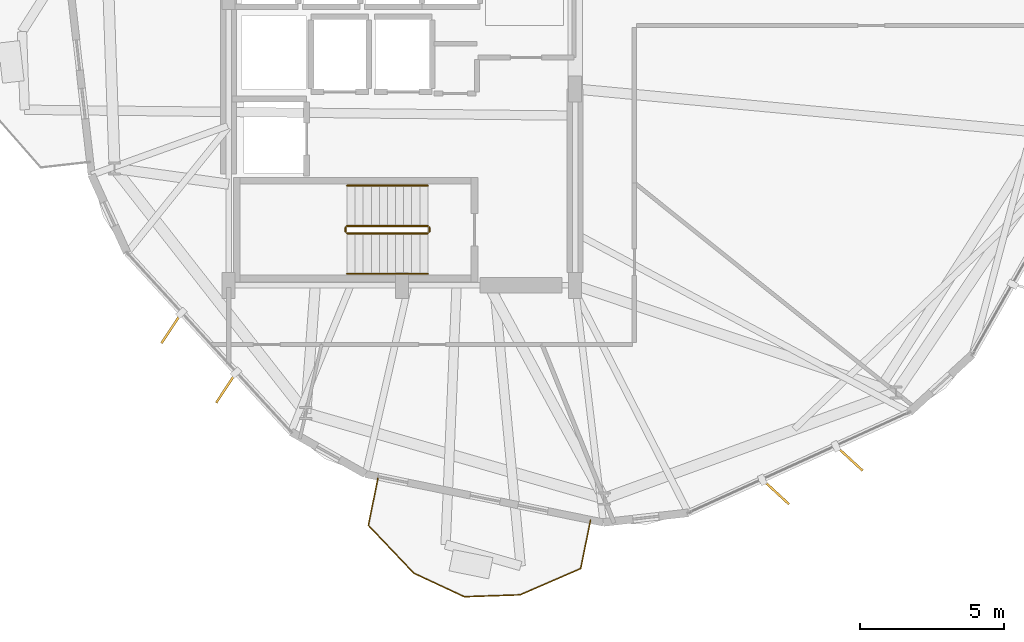
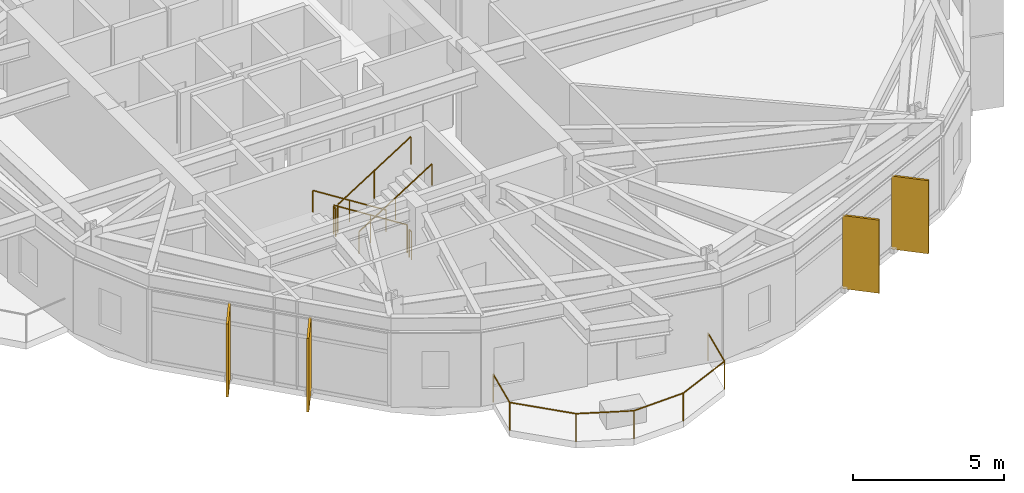
# One storey, part 21 of 23: 7 railings, 4 shading devices.
"""IFC4 building model written with IfcOpenShell, lengths in metres."""

from ifc_helpers import new_model, si_unit, direction, frame, origin, origin_2d, place, context, subcontext, project, spatial, rectangle, circle, extrude, material, layer, layer_set, type_object, element, save


model = new_model("IFC4")

# Units and contexts
model_context = context("Model", 3, precision=1e-05, world=origin(), true_north=direction((0.0, 1.0)))
body_context = subcontext(model_context, "Body", "Model", "MODEL_VIEW")
ifc_project = project(units=[si_unit("LENGTHUNIT", "METRE"), si_unit("AREAUNIT", "SQUARE_METRE"), si_unit("VOLUMEUNIT", "CUBIC_METRE"), si_unit("PLANEANGLEUNIT", "RADIAN"), si_unit("MASSUNIT", "GRAM", prefix="KILO")], contexts=[model_context])

# Site, building, storey
site_placement = place(None, origin())
site = spatial("IfcSite", under=ifc_project, at=site_placement, CompositionType="ELEMENT")
building_placement = place(site_placement, origin())
building = spatial("IfcBuilding", under=site, at=building_placement, Name="Soratama Intermodal Tower", CompositionType="ELEMENT")
storey_placement = place(building_placement, frame((0.0, 0.0, 122.5)))
storey = spatial("IfcBuildingStorey", under=building, at=storey_placement, Name="L29", CompositionType="ELEMENT", Elevation=122.5)

# Railings
ifc_material_1 = material(Name="Laminated glass and stainless steel balustrade", Category="steel")
railing_type_1 = type_object("IfcRailingType", Name="RL-BAL-1150", PredefinedType="BALUSTRADE", material=ifc_material_1)
railing_1_placement = place(storey_placement, frame((45.13525390625, 6.873291015625, 0.0)))
element("IfcRailing", 1, at=railing_1_placement, inside=storey, type_object=railing_type_1, Name="L29 Balcony Balustrade 3", PredefinedType="BALUSTRADE", context=body_context, shape_type="SweptSolid", body=[
    extrude(circle(Radius=0.02392578125, at=origin_2d()), frame((0.0, 0.0, 1.1259765625), z_axis=(-0.199718056318, -0.979853406373, 0.0), x_axis=(0.979853406373, -0.199718056318, 0.0)), (0.0, 0.0, 1.0), 1.719970703125),
    extrude(circle(Radius=0.02392578125, at=origin_2d()), frame((-0.343505859375, -1.685302734375, 1.1259765625), z_axis=(-0.917632139131, -0.39743082069, 0.0), x_axis=(0.39743082069, -0.917632139131, 0.0)), (0.0, 0.0, 1.0), 2.288818359375),
    extrude(circle(Radius=0.02392578125, at=origin_2d()), frame((-2.44384765625, -2.594970703125, 1.1259765625), z_axis=(-0.999424784621, -0.033913122598, 0.0), x_axis=(0.033913122598, -0.999424784621, 0.0)), (0.0, 0.0, 1.0), 1.929443359375),
    extrude(circle(Radius=0.02392578125, at=origin_2d()), frame((-4.3720703125, -2.660400390625, 1.1259765625), z_axis=(-0.906460979535, 0.422289583793, 0.0), x_axis=(-0.422289583793, -0.906460979535, 0.0)), (0.0, 0.0, 1.0), 1.92919921875),
    extrude(circle(Radius=0.02392578125, at=origin_2d()), frame((-6.120849609375, -1.845703125, 1.1259765625), z_axis=(-0.68879711313, 0.724954161961, 0.0), x_axis=(-0.724954161961, -0.68879711313, 0.0)), (0.0, 0.0, 1.0), 2.2890625),
    extrude(circle(Radius=0.02392578125, at=origin_2d()), frame((-7.697509765625, -0.186279296875, 1.1259765625), z_axis=(0.199718056318, 0.979853406373, 0.0), x_axis=(-0.979853406373, 0.199718056318, 0.0)), (0.0, 0.0, 1.0), 1.719970703125),
    extrude(circle(Radius=0.02099609375, at=origin_2d()), origin(), (0.0, 0.0, 1.0), 1.101806640625),
    extrude(circle(Radius=0.02099609375, at=origin_2d()), frame((-0.343505859375, -1.685302734375, 0.0)), (0.0, 0.0, 1.0), 1.101806640625),
    extrude(circle(Radius=0.02099609375, at=origin_2d()), frame((-2.44384765625, -2.594970703125, 0.0)), (0.0, 0.0, 1.0), 1.101806640625),
    extrude(circle(Radius=0.02099609375, at=origin_2d()), frame((-4.3720703125, -2.660400390625, 0.0)), (0.0, 0.0, 1.0), 1.101806640625),
    extrude(circle(Radius=0.02099609375, at=origin_2d()), frame((-6.120849609375, -1.845703125, 0.0)), (0.0, 0.0, 1.0), 1.101806640625),
    extrude(circle(Radius=0.02099609375, at=origin_2d()), frame((-7.697509765625, -0.186279296875, 0.0)), (0.0, 0.0, 1.0), 1.101806640625),
    extrude(circle(Radius=0.02099609375, at=origin_2d()), frame((-7.35400390625, 1.4990234375, 0.0)), (0.0, 0.0, 1.0), 1.101806640625),
])
ifc_material_2 = material(Name="Painted steel stair guardrail", Category="steel")
railing_type_2 = type_object("IfcRailingType", Name="RL-STAIR-GUARD", PredefinedType="GUARDRAIL", material=ifc_material_2)
railing_2_placement = place(storey_placement, frame((39.5, 17.050048828125, 0.17724609375)))
element("IfcRailing", 2, at=railing_2_placement, inside=storey, type_object=railing_type_2, Name="L29 ST-1 stair guard 1", PredefinedType="GUARDRAIL", context=body_context, shape_type="SweptSolid", body=[
    extrude(circle(Radius=0.02392578125, at=origin_2d()), frame((0.0, 0.0, 1.1259765625), z_axis=(-0.844908973607, 0.0, 0.534910110503), x_axis=(0.0, -1.0, 0.0)), (0.0, 0.0, 1.0), 3.31396484375),
    extrude(circle(Radius=0.02099609375, at=origin_2d()), origin(), (0.0, 0.0, 1.0), 1.101806640625),
    extrude(circle(Radius=0.02099609375, at=origin_2d()), frame((-1.39990234375, 0.0, 0.88623046875)), (0.0, 0.0, 1.0), 1.101806640625),
    extrude(circle(Radius=0.02099609375, at=origin_2d()), frame((-2.800048828125, 0.0, 1.772705078125)), (0.0, 0.0, 1.0), 1.101806640625),
])
railing_3_placement = place(storey_placement, frame((36.64990234375, 17.0, 1.949951171875)))
element("IfcRailing", 3, at=railing_3_placement, inside=storey, type_object=railing_type_2, Name="L29 ST-1 stair guard 2", PredefinedType="GUARDRAIL", context=body_context, shape_type="SweptSolid", body=[
    extrude(circle(Radius=0.02392578125, at=origin_2d()), frame((0.0, 0.0, 1.1259765625), z_axis=(0.0, -1.0, 0.0), x_axis=(1.0, 0.0, 0.0)), (0.0, 0.0, 1.0), 0.14990234375),
    extrude(circle(Radius=0.02099609375, at=origin_2d()), origin(), (0.0, 0.0, 1.0), 1.101806640625),
    extrude(circle(Radius=0.02099609375, at=origin_2d()), frame((0.0, -0.14990234375, 0.0)), (0.0, 0.0, 1.0), 1.101806640625),
])
railing_4_placement = place(storey_placement, frame((36.699951171875, 16.800048828125, 2.127197265625)))
element("IfcRailing", 4, at=railing_4_placement, inside=storey, type_object=railing_type_2, Name="L29 ST-1 stair guard 3", PredefinedType="GUARDRAIL", context=body_context, shape_type="SweptSolid", body=[
    extrude(circle(Radius=0.02392578125, at=origin_2d()), frame((0.0, 0.0, 1.1259765625), z_axis=(0.844908973607, 0.0, 0.534910110503), x_axis=(0.0, 1.0, 0.0)), (0.0, 0.0, 1.0), 3.31396484375),
    extrude(circle(Radius=0.02099609375, at=origin_2d()), origin(), (0.0, 0.0, 1.0), 1.101806640625),
    extrude(circle(Radius=0.02099609375, at=origin_2d()), frame((1.39990234375, 0.0, 0.88623046875)), (0.0, 0.0, 1.0), 1.101806640625),
    extrude(circle(Radius=0.02099609375, at=origin_2d()), frame((2.800048828125, 0.0, 1.772705078125)), (0.0, 0.0, 1.0), 1.101806640625),
])
railing_5_placement = place(storey_placement, frame((39.550048828125, 17.0, 0.0)))
element("IfcRailing", 5, at=railing_5_placement, inside=storey, type_object=railing_type_2, Name="L29 ST-1 stair guard 4", PredefinedType="GUARDRAIL", context=body_context, shape_type="SweptSolid", body=[
    extrude(circle(Radius=0.02392578125, at=origin_2d()), frame((0.0, 0.0, 1.1259765625), z_axis=(0.0, -1.0, 0.0), x_axis=(1.0, 0.0, 0.0)), (0.0, 0.0, 1.0), 0.14990234375),
    extrude(circle(Radius=0.02099609375, at=origin_2d()), origin(), (0.0, 0.0, 1.0), 1.101806640625),
    extrude(circle(Radius=0.02099609375, at=origin_2d()), frame((0.0, -0.14990234375, 0.0)), (0.0, 0.0, 1.0), 1.101806640625),
])
ifc_material_3 = material(Name="Brushed stainless steel handrail", Category="steel")
railing_type_3 = type_object("IfcRailingType", Name="RL-STAIR-HAND", PredefinedType="HANDRAIL", material=ifc_material_3)
railing_6_placement = place(storey_placement, frame((39.5, 18.449951171875, 0.17724609375)))
element("IfcRailing", 6, at=railing_6_placement, inside=storey, type_object=railing_type_3, Name="L29 ST-1 stair handrail 1", PredefinedType="HANDRAIL", context=body_context, shape_type="SweptSolid", body=[
    extrude(circle(Radius=0.02392578125, at=origin_2d()), frame((0.0, 0.0, 0.8759765625), z_axis=(-0.844908973607, 0.0, 0.534910110503), x_axis=(0.0, -1.0, 0.0)), (0.0, 0.0, 1.0), 3.31396484375),
    extrude(circle(Radius=0.02099609375, at=origin_2d()), origin(), (0.0, 0.0, 1.0), 0.851806640625),
    extrude(circle(Radius=0.02099609375, at=origin_2d()), frame((-1.39990234375, 0.0, 0.88623046875)), (0.0, 0.0, 1.0), 0.851806640625),
    extrude(circle(Radius=0.02099609375, at=origin_2d()), frame((-2.800048828125, 0.0, 1.772705078125)), (0.0, 0.0, 1.0), 0.851806640625),
])
railing_7_placement = place(storey_placement, frame((36.699951171875, 15.39990234375, 2.127197265625)))
element("IfcRailing", 7, at=railing_7_placement, inside=storey, type_object=railing_type_3, Name="L29 ST-1 stair handrail 2", PredefinedType="HANDRAIL", context=body_context, shape_type="SweptSolid", body=[
    extrude(circle(Radius=0.02392578125, at=origin_2d()), frame((0.0, 0.0, 0.8759765625), z_axis=(0.844908973607, 0.0, 0.534910110503), x_axis=(0.0, 1.0, 0.0)), (0.0, 0.0, 1.0), 3.31396484375),
    extrude(circle(Radius=0.02099609375, at=origin_2d()), origin(), (0.0, 0.0, 1.0), 0.851806640625),
    extrude(circle(Radius=0.02099609375, at=origin_2d()), frame((1.39990234375, 0.0, 0.88623046875)), (0.0, 0.0, 1.0), 0.851806640625),
    extrude(circle(Radius=0.02099609375, at=origin_2d()), frame((2.800048828125, 0.0, 1.772705078125)), (0.0, 0.0, 1.0), 0.851806640625),
])

# Shading devices
ifc_material_4 = material(Name="Champagne anodised aluminium solar fin", Category="aluminium")
ifc_layer = layer(ifc_material_4, 0.080078125)
ifc_layer_set = layer_set([ifc_layer], Name="Champagne anodised aluminium solar fin")
shading_device_type = type_object("IfcShadingDeviceType", Name="SH-FIN-1250", PredefinedType="USERDEFINED", material=ifc_layer_set)
for number, where, z_axis, x_axis, name in (
    (8, (30.619384765625, 13.51806640625, 0.02001953125), (0.0, 0.0, 1.0), (-0.55062644014, -0.834751773535, 0.0), "L29 Solar Fin F06-1"),
    (9, (32.511474609375, 11.451904296875, 0.02001953125), (0.0, 0.0, 1.0), (-0.55062644014, -0.834751773535, 0.0), "L29 Solar Fin F06-2"),
    (10, (51.5478515625, 7.842041015625, 0.02001953125), (0.0, 0.0, 1.0), (0.735032945147, -0.678031392746, 0.0), "L29 Solar Fin F08-1"),
    (11, (54.097900390625, 9.0029296875, 0.02001953125), (0.0, 0.0, 1.0), (0.735032945147, -0.678031392746, 0.0), "L29 Solar Fin F08-2"),
):
    element("IfcShadingDevice", number, at=place(storey_placement, frame(where, z_axis=z_axis, x_axis=x_axis)), inside=storey, type_object=shading_device_type, Name=name, ObjectType="FIN", PredefinedType="USERDEFINED", context=body_context, shape_type="SweptSolid", body=[
        extrude(rectangle(XDim=1.25, YDim=0.080078125, at=origin_2d()), origin(), (0.0, 0.0, 1.0), 2.958984375),
    ])

save(model, "model.ifc")
